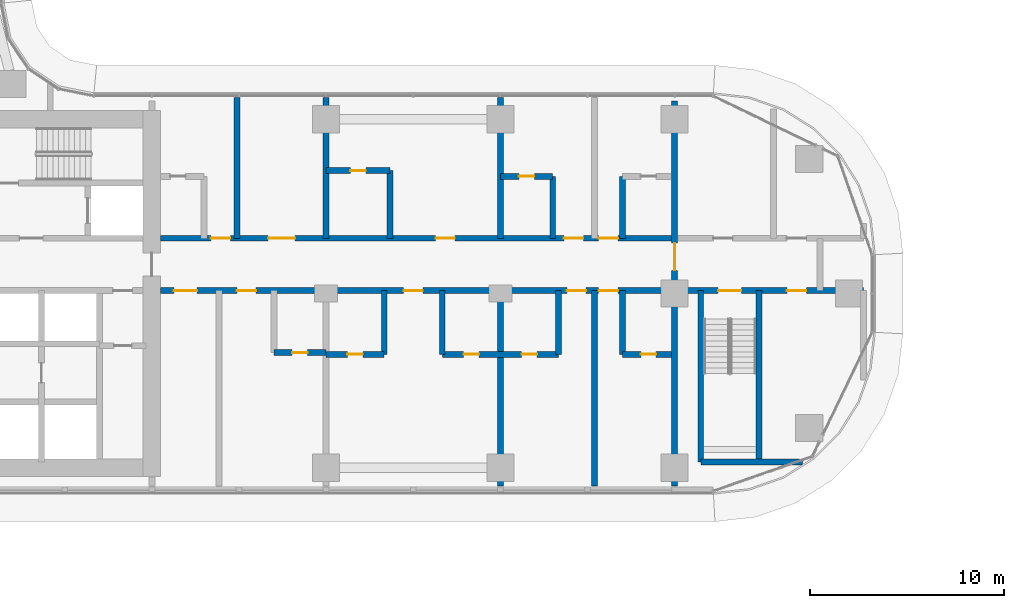
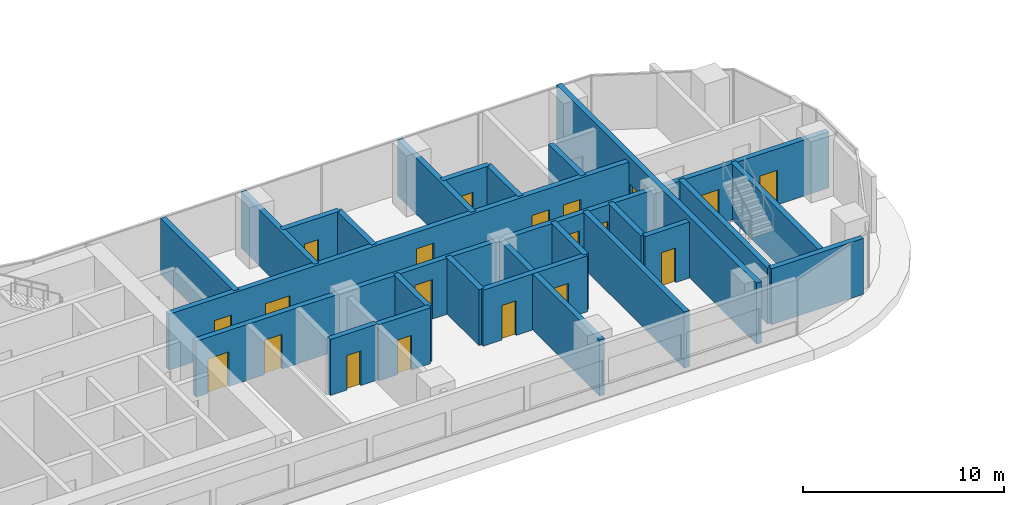
# One storey, part 21 of 39: 25 walls, 20 doors, 20 openings.
"""IFC4 building model written with IfcOpenShell, lengths in metres."""

from ifc_helpers import new_model, si_unit, direction, frame, frame_2d, origin, place, context, subcontext, project, spatial, rectangle, extrude, material, layer, layer_set, type_object, element, fill, save


model = new_model("IFC4")

# Units and contexts
model_context = context("Model", 3, precision=1e-05, world=origin(), true_north=direction((0.0, 1.0)))
body_context = subcontext(model_context, "Body", "Model", "MODEL_VIEW")
ifc_project = project(units=[si_unit("LENGTHUNIT", "METRE"), si_unit("AREAUNIT", "SQUARE_METRE"), si_unit("VOLUMEUNIT", "CUBIC_METRE"), si_unit("PLANEANGLEUNIT", "RADIAN"), si_unit("MASSUNIT", "GRAM", prefix="KILO")], contexts=[model_context])

# Site, building, storey
site_placement = place(None, origin())
site = spatial("IfcSite", under=ifc_project, at=site_placement, CompositionType="ELEMENT")
building_placement = place(site_placement, origin())
building = spatial("IfcBuilding", under=site, at=building_placement, Name="Ogive Portal Towers", CompositionType="ELEMENT")
storey_placement = place(building_placement, frame((0.0, 0.0, 44.60009765625)))
storey = spatial("IfcBuildingStorey", under=building, at=storey_placement, Name="L09", CompositionType="ELEMENT", Elevation=44.60009765625)

# Wall, opening, door
ifc_material_1 = material(Name="Concrete C60/75", Category="concrete")
ifc_layer_1 = layer(ifc_material_1, 0.300048828125)
ifc_layer_set_1 = layer_set([ifc_layer_1], Name="REVEAL WALL 300 C60")
wall_type_1 = type_object("IfcWallType", Name="REVEAL WALL 300 C60", PredefinedType="SHEAR", material=ifc_layer_set_1)
wall_1_placement = place(storey_placement, frame((85.5, 20.56494140625, 0.0), z_axis=(0.0, 0.0, 1.0), x_axis=(0.0, 1.0, 0.0)))
wall_1 = element("IfcWall", 1, at=wall_1_placement, inside=storey, type_object=wall_type_1, Name="Portal reveal wall L09", PredefinedType="SHEAR", context=body_context, shape_type="SweptSolid", body=[
    extrude(rectangle(XDim=19.8701171875, YDim=0.300048828125, at=frame_2d((9.93505859375, 0.0))), origin(), (0.0, 0.0, 1.0), 3.699951171875),
])
opening_1_placement = place(wall_1_placement, frame((11.135009765625, 0.0, 0.0)))
opening_1 = element("IfcOpeningElement", 2, at=opening_1_placement, cuts=wall_1, Name="Opening D02-069", PredefinedType="OPENING", context=body_context, shape_type="SweptSolid", body=[
    extrude(rectangle(XDim=1.39990234375, YDim=2.10009765625, at=frame_2d((0.699951171875, 1.050048828125))), frame((0.0, 0.16015625, 0.0), z_axis=(0.0, -1.0, 0.0), x_axis=(1.0, 0.0, 0.0)), (0.0, 0.0, 1.0), 0.320068359375),
])
ifc_material_2 = material(Name="Steel fire door", Category="steel")
door_type_1 = type_object("IfcDoorType", Name="DT-STAIR-1400x2100-FD90S", OperationType="SINGLE_SWING_LEFT", PredefinedType="DOOR", material=ifc_material_2)
door_1_placement = place(opening_1_placement, origin())
door_1 = element("IfcDoor", 3, at=door_1_placement, inside=storey, type_object=door_type_1, Name="Door D02-069", OperationType="SINGLE_SWING_RIGHT", OverallHeight=2.10009765625, OverallWidth=1.39990234375, PredefinedType="DOOR", context=body_context, shape_type="SweptSolid", body=[
    extrude(rectangle(XDim=1.39990234375, YDim=2.10009765625, at=frame_2d((0.699951171875, 1.050048828125))), frame((0.0, 0.02490234375, 0.0), z_axis=(0.0, -1.0, 0.0), x_axis=(1.0, 0.0, 0.0)), (0.0, 0.0, 1.0), 0.050048828125),
])
fill(opening_1, door_1)

# Wall
ifc_material_3 = material(Name="Concrete C50/60", Category="concrete")
ifc_layer_2 = layer(ifc_material_3, 0.300048828125)
ifc_layer_set_2 = layer_set([ifc_layer_2], Name="STAIR WALL 300 C50")
wall_type_2 = type_object("IfcWallType", Name="STAIR WALL 300 C50", PredefinedType="SHEAR", material=ifc_layer_set_2)
wall_2_placement = place(storey_placement, frame((86.85009765625, 21.800048828125, 0.0), z_axis=(0.0, 0.0, 1.0), x_axis=(1.0, 0.0, 0.0)))
element("IfcWall", 4, at=wall_2_placement, inside=storey, type_object=wall_type_2, Name="Stair wall ST-A4 L09", PredefinedType="SHEAR", context=body_context, shape_type="SweptSolid", body=[
    extrude(rectangle(XDim=5.263916015625, YDim=0.300048828125, at=frame_2d((2.6318359375, 0.0))), origin(), (0.0, 0.0, 1.0), 3.39990234375),
])

# Wall, openings, doors
wall_3_placement = place(storey_placement, frame((85.669921875, 30.64990234375, 0.0), z_axis=(0.0, 0.0, 1.0), x_axis=(1.0, 0.0, 0.0)))
wall_3 = element("IfcWall", 5, at=wall_3_placement, inside=storey, type_object=wall_type_2, Name="Stair wall ST-A4 L09", PredefinedType="SHEAR", context=body_context, shape_type="SweptSolid", body=[
    extrude(rectangle(XDim=9.580078125, YDim=0.300048828125, at=frame_2d((4.7900390625, 0.0))), origin(), (0.0, 0.0, 1.0), 3.39990234375),
])
opening_2_placement = place(wall_3_placement, frame((2.080078125, 0.0, 0.0)))
opening_2 = element("IfcOpeningElement", 6, at=opening_2_placement, cuts=wall_3, Name="Opening D02-064", PredefinedType="OPENING", context=body_context, shape_type="SweptSolid", body=[
    extrude(rectangle(XDim=1.199951171875, YDim=2.10009765625, at=frame_2d((0.60009765625, 1.050048828125))), frame((0.0, 0.16015625, 0.0), z_axis=(0.0, -1.0, 0.0), x_axis=(1.0, 0.0, 0.0)), (0.0, 0.0, 1.0), 0.320068359375),
])
opening_3_placement = place(wall_3_placement, frame((5.6298828125, 0.0, 0.0)))
opening_3 = element("IfcOpeningElement", 7, at=opening_3_placement, cuts=wall_3, Name="Opening D02-067", PredefinedType="OPENING", context=body_context, shape_type="SweptSolid", body=[
    extrude(rectangle(XDim=1.0, YDim=2.10009765625, at=frame_2d((0.5, 1.050048828125))), frame((0.0, 0.16015625, 0.0), z_axis=(0.0, -1.0, 0.0), x_axis=(1.0, 0.0, 0.0)), (0.0, 0.0, 1.0), 0.320068359375),
])
door_type_2 = type_object("IfcDoorType", Name="DT-SERVICE-1000x2100-FD90S", OperationType="SINGLE_SWING_LEFT", PredefinedType="DOOR", material=ifc_material_2)
door_2_placement = place(opening_3_placement, origin())
door_2 = element("IfcDoor", 8, at=door_2_placement, inside=storey, type_object=door_type_2, Name="Door D02-067", OperationType="SINGLE_SWING_LEFT", OverallHeight=2.10009765625, OverallWidth=1.0, PredefinedType="DOOR", context=body_context, shape_type="SweptSolid", body=[
    extrude(rectangle(XDim=1.0, YDim=2.10009765625, at=frame_2d((0.5, 1.050048828125))), frame((0.0, 0.02490234375, 0.0), z_axis=(0.0, -1.0, 0.0), x_axis=(1.0, 0.0, 0.0)), (0.0, 0.0, 1.0), 0.050048828125),
])
fill(opening_3, door_2)
door_type_3 = type_object("IfcDoorType", Name="DT-STAIR-1200x2100-FD90S", OperationType="SINGLE_SWING_LEFT", PredefinedType="DOOR", material=ifc_material_2)
door_3_placement = place(opening_2_placement, origin())
door_3 = element("IfcDoor", 9, at=door_3_placement, inside=storey, type_object=door_type_3, Name="Door D02-064", OperationType="SINGLE_SWING_LEFT", OverallHeight=2.10009765625, OverallWidth=1.199951171875, PredefinedType="DOOR", context=body_context, shape_type="SweptSolid", body=[
    extrude(rectangle(XDim=1.199951171875, YDim=2.10009765625, at=frame_2d((0.60009765625, 1.050048828125))), frame((0.0, 0.02490234375, 0.0), z_axis=(0.0, -1.0, 0.0), x_axis=(1.0, 0.0, 0.0)), (0.0, 0.0, 1.0), 0.050048828125),
])
fill(opening_2, door_3)

# Walls
for number, where, z_axis, x_axis, name in (
    (10, (86.85009765625, 21.800048828125, 0.0), (0.0, 0.0, 1.0), (0.0, 1.0, 0.0), "Stair wall ST-A4 L09"),
    (11, (89.85009765625, 21.800048828125, 0.0), (0.0, 0.0, 1.0), (0.0, 1.0, 0.0), "Stair wall ST-A4 L09"),
):
    element("IfcWall", number, at=place(storey_placement, frame(where, z_axis=z_axis, x_axis=x_axis)), inside=storey, type_object=wall_type_2, Name=name, PredefinedType="SHEAR", context=body_context, shape_type="SweptSolid", body=[
        extrude(rectangle(XDim=8.849853515625, YDim=0.300048828125, at=frame_2d((4.4248046875, 0.0))), origin(), (0.0, 0.0, 1.0), 3.39990234375),
    ])

# Wall, openings, doors
ifc_material_4 = material(Name="Gypsum board partition on steel studs", Category="steel")
ifc_layer_3 = layer(ifc_material_4, 0.300048828125)
ifc_layer_set_3 = layer_set([ifc_layer_3], Name="WT-PART-300-EI 120")
wall_type_3 = type_object("IfcWallType", Name="WT-PART-300-EI 120", PredefinedType="PARTITIONING", material=ifc_layer_set_3)
wall_4_placement = place(storey_placement, frame((58.949951171875, 30.64990234375, 0.0), z_axis=(0.0, 0.0, 1.0), x_axis=(1.0, 0.0, 0.0)))
wall_4 = element("IfcWall", 12, at=wall_4_placement, inside=storey, type_object=wall_type_3, Name="Wall L09:w006", PredefinedType="PARTITIONING", context=body_context, shape_type="SweptSolid", body=[
    extrude(rectangle(XDim=26.380126953125, YDim=0.300048828125, at=frame_2d((13.18994140625, 0.0))), origin(), (0.0, 0.0, 1.0), 3.39990234375),
])
opening_4_placement = place(wall_4_placement, frame((0.68505859375, 0.0, 0.0)))
opening_4 = element("IfcOpeningElement", 13, at=opening_4_placement, cuts=wall_4, Name="Opening D02-029", PredefinedType="OPENING", context=body_context, shape_type="SweptSolid", body=[
    extrude(rectangle(XDim=1.199951171875, YDim=2.10009765625, at=frame_2d((0.60009765625, 1.050048828125))), frame((0.0, 0.16015625, 0.0), z_axis=(0.0, -1.0, 0.0), x_axis=(1.0, 0.0, 0.0)), (0.0, 0.0, 1.0), 0.320068359375),
])
opening_5_placement = place(wall_4_placement, frame((3.93505859375, 0.0, 0.0)))
opening_5 = element("IfcOpeningElement", 14, at=opening_5_placement, cuts=wall_4, Name="Opening D02-031", PredefinedType="OPENING", context=body_context, shape_type="SweptSolid", body=[
    extrude(rectangle(XDim=1.0, YDim=2.10009765625, at=frame_2d((0.5, 1.050048828125))), frame((0.0, 0.16015625, 0.0), z_axis=(0.0, -1.0, 0.0), x_axis=(1.0, 0.0, 0.0)), (0.0, 0.0, 1.0), 0.320068359375),
])
opening_6_placement = place(wall_4_placement, frame((12.550048828125, 0.0, 0.0)))
opening_6 = element("IfcOpeningElement", 15, at=opening_6_placement, cuts=wall_4, Name="Opening D02-036", PredefinedType="OPENING", context=body_context, shape_type="SweptSolid", body=[
    extrude(rectangle(XDim=1.0, YDim=2.39990234375, at=frame_2d((0.5, 1.199951171875))), frame((0.0, 0.16015625, 0.0), z_axis=(0.0, -1.0, 0.0), x_axis=(1.0, 0.0, 0.0)), (0.0, 0.0, 1.0), 0.320068359375),
])
opening_7_placement = place(wall_4_placement, frame((20.97998046875, 0.0, 0.0)))
opening_7 = element("IfcOpeningElement", 16, at=opening_7_placement, cuts=wall_4, Name="Opening D02-042", PredefinedType="OPENING", context=body_context, shape_type="SweptSolid", body=[
    extrude(rectangle(XDim=1.0, YDim=2.39990234375, at=frame_2d((0.5, 1.199951171875))), frame((0.0, 0.16015625, 0.0), z_axis=(0.0, -1.0, 0.0), x_axis=(1.0, 0.0, 0.0)), (0.0, 0.0, 1.0), 0.320068359375),
])
opening_8_placement = place(wall_4_placement, frame((22.6298828125, 0.0, 0.0)))
opening_8 = element("IfcOpeningElement", 17, at=opening_8_placement, cuts=wall_4, Name="Opening D02-044", PredefinedType="OPENING", context=body_context, shape_type="SweptSolid", body=[
    extrude(rectangle(XDim=1.0, YDim=2.39990234375, at=frame_2d((0.5, 1.199951171875))), frame((0.0, 0.16015625, 0.0), z_axis=(0.0, -1.0, 0.0), x_axis=(1.0, 0.0, 0.0)), (0.0, 0.0, 1.0), 0.320068359375),
])
door_type_4 = type_object("IfcDoorType", Name="DT-ENTRY-1000x2100-FD90S", OperationType="SINGLE_SWING_LEFT", PredefinedType="DOOR", material=ifc_material_2)
door_4_placement = place(opening_5_placement, origin())
door_4 = element("IfcDoor", 18, at=door_4_placement, inside=storey, type_object=door_type_4, Name="Door D02-031", OperationType="SINGLE_SWING_LEFT", OverallHeight=2.10009765625, OverallWidth=1.0, PredefinedType="DOOR", context=body_context, shape_type="SweptSolid", body=[
    extrude(rectangle(XDim=1.0, YDim=2.10009765625, at=frame_2d((0.5, 1.050048828125))), frame((0.0, 0.02490234375, 0.0), z_axis=(0.0, -1.0, 0.0), x_axis=(1.0, 0.0, 0.0)), (0.0, 0.0, 1.0), 0.050048828125),
])
fill(opening_5, door_4)
door_type_5 = type_object("IfcDoorType", Name="DT-ENTRY-1000x2400-FD90S", OperationType="SINGLE_SWING_LEFT", PredefinedType="DOOR", material=ifc_material_2)
door_5_placement = place(opening_6_placement, origin())
door_5 = element("IfcDoor", 19, at=door_5_placement, inside=storey, type_object=door_type_5, Name="Door D02-036", OperationType="SINGLE_SWING_RIGHT", OverallHeight=2.39990234375, OverallWidth=1.0, PredefinedType="DOOR", context=body_context, shape_type="SweptSolid", body=[
    extrude(rectangle(XDim=1.0, YDim=2.39990234375, at=frame_2d((0.5, 1.199951171875))), frame((0.0, 0.02490234375, 0.0), z_axis=(0.0, -1.0, 0.0), x_axis=(1.0, 0.0, 0.0)), (0.0, 0.0, 1.0), 0.050048828125),
])
fill(opening_6, door_5)
door_6_placement = place(opening_7_placement, origin())
door_6 = element("IfcDoor", 20, at=door_6_placement, inside=storey, type_object=door_type_5, Name="Door D02-042", OperationType="SINGLE_SWING_LEFT", OverallHeight=2.39990234375, OverallWidth=1.0, PredefinedType="DOOR", context=body_context, shape_type="SweptSolid", body=[
    extrude(rectangle(XDim=1.0, YDim=2.39990234375, at=frame_2d((0.5, 1.199951171875))), frame((0.0, 0.02490234375, 0.0), z_axis=(0.0, -1.0, 0.0), x_axis=(1.0, 0.0, 0.0)), (0.0, 0.0, 1.0), 0.050048828125),
])
fill(opening_7, door_6)
door_7_placement = place(opening_8_placement, origin())
door_7 = element("IfcDoor", 21, at=door_7_placement, inside=storey, type_object=door_type_5, Name="Door D02-044", OperationType="SINGLE_SWING_RIGHT", OverallHeight=2.39990234375, OverallWidth=1.0, PredefinedType="DOOR", context=body_context, shape_type="SweptSolid", body=[
    extrude(rectangle(XDim=1.0, YDim=2.39990234375, at=frame_2d((0.5, 1.199951171875))), frame((0.0, 0.02490234375, 0.0), z_axis=(0.0, -1.0, 0.0), x_axis=(1.0, 0.0, 0.0)), (0.0, 0.0, 1.0), 0.050048828125),
])
fill(opening_8, door_7)
door_type_6 = type_object("IfcDoorType", Name="DT-ENTRY-1200x2100-FD90S", OperationType="SINGLE_SWING_LEFT", PredefinedType="DOOR", material=ifc_material_2)
door_8_placement = place(opening_4_placement, origin())
door_8 = element("IfcDoor", 22, at=door_8_placement, inside=storey, type_object=door_type_6, Name="Door D02-029", OperationType="SINGLE_SWING_LEFT", OverallHeight=2.10009765625, OverallWidth=1.199951171875, PredefinedType="DOOR", context=body_context, shape_type="SweptSolid", body=[
    extrude(rectangle(XDim=1.199951171875, YDim=2.10009765625, at=frame_2d((0.60009765625, 1.050048828125))), frame((0.0, 0.02490234375, 0.0), z_axis=(0.0, -1.0, 0.0), x_axis=(1.0, 0.0, 0.0)), (0.0, 0.0, 1.0), 0.050048828125),
])
fill(opening_4, door_8)

wall_5_placement = place(storey_placement, frame((58.949951171875, 33.35009765625, 0.0), z_axis=(0.0, 0.0, 1.0), x_axis=(1.0, 0.0, 0.0)))
wall_5 = element("IfcWall", 23, at=wall_5_placement, inside=storey, type_object=wall_type_3, Name="Wall L09:w008", PredefinedType="PARTITIONING", context=body_context, shape_type="SweptSolid", body=[
    extrude(rectangle(XDim=26.380126953125, YDim=0.300048828125, at=frame_2d((13.18994140625, 0.0))), origin(), (0.0, 0.0, 1.0), 3.39990234375),
])
opening_9_placement = place(wall_5_placement, frame((2.60009765625, 0.0, 0.0)))
opening_9 = element("IfcOpeningElement", 24, at=opening_9_placement, cuts=wall_5, Name="Opening D02-027", PredefinedType="OPENING", context=body_context, shape_type="SweptSolid", body=[
    extrude(rectangle(XDim=1.0, YDim=2.10009765625, at=frame_2d((0.5, 1.050048828125))), frame((0.0, 0.16015625, 0.0), z_axis=(0.0, -1.0, 0.0), x_axis=(1.0, 0.0, 0.0)), (0.0, 0.0, 1.0), 0.320068359375),
])
opening_10_placement = place(wall_5_placement, frame((5.550048828125, 0.0, 0.0)))
opening_10 = element("IfcOpeningElement", 25, at=opening_10_placement, cuts=wall_5, Name="Opening D02-028", PredefinedType="OPENING", context=body_context, shape_type="SweptSolid", body=[
    extrude(rectangle(XDim=1.39990234375, YDim=2.10009765625, at=frame_2d((0.699951171875, 1.050048828125))), frame((0.0, 0.16015625, 0.0), z_axis=(0.0, -1.0, 0.0), x_axis=(1.0, 0.0, 0.0)), (0.0, 0.0, 1.0), 0.320068359375),
])
opening_11_placement = place(wall_5_placement, frame((14.199951171875, 0.0, 0.0)))
opening_11 = element("IfcOpeningElement", 26, at=opening_11_placement, cuts=wall_5, Name="Opening D02-033", PredefinedType="OPENING", context=body_context, shape_type="SweptSolid", body=[
    extrude(rectangle(XDim=1.0, YDim=2.39990234375, at=frame_2d((0.5, 1.199951171875))), frame((0.0, 0.16015625, 0.0), z_axis=(0.0, -1.0, 0.0), x_axis=(1.0, 0.0, 0.0)), (0.0, 0.0, 1.0), 0.320068359375),
])
opening_12_placement = place(wall_5_placement, frame((20.830078125, 0.0, 0.0)))
opening_12 = element("IfcOpeningElement", 27, at=opening_12_placement, cuts=wall_5, Name="Opening D02-038", PredefinedType="OPENING", context=body_context, shape_type="SweptSolid", body=[
    extrude(rectangle(XDim=1.0, YDim=2.10009765625, at=frame_2d((0.5, 1.050048828125))), frame((0.0, 0.16015625, 0.0), z_axis=(0.0, -1.0, 0.0), x_axis=(1.0, 0.0, 0.0)), (0.0, 0.0, 1.0), 0.320068359375),
])
opening_13_placement = place(wall_5_placement, frame((22.6298828125, 0.0, 0.0)))
opening_13 = element("IfcOpeningElement", 28, at=opening_13_placement, cuts=wall_5, Name="Opening D02-040", PredefinedType="OPENING", context=body_context, shape_type="SweptSolid", body=[
    extrude(rectangle(XDim=1.0, YDim=2.10009765625, at=frame_2d((0.5, 1.050048828125))), frame((0.0, 0.16015625, 0.0), z_axis=(0.0, -1.0, 0.0), x_axis=(1.0, 0.0, 0.0)), (0.0, 0.0, 1.0), 0.320068359375),
])
door_9_placement = place(opening_9_placement, origin())
door_9 = element("IfcDoor", 29, at=door_9_placement, inside=storey, type_object=door_type_4, Name="Door D02-027", OperationType="SINGLE_SWING_LEFT", OverallHeight=2.10009765625, OverallWidth=1.0, PredefinedType="DOOR", context=body_context, shape_type="SweptSolid", body=[
    extrude(rectangle(XDim=1.0, YDim=2.10009765625, at=frame_2d((0.5, 1.050048828125))), frame((0.0, 0.02490234375, 0.0), z_axis=(0.0, -1.0, 0.0), x_axis=(1.0, 0.0, 0.0)), (0.0, 0.0, 1.0), 0.050048828125),
])
fill(opening_9, door_9)
door_10_placement = place(opening_12_placement, origin())
door_10 = element("IfcDoor", 30, at=door_10_placement, inside=storey, type_object=door_type_4, Name="Door D02-038", OperationType="SINGLE_SWING_RIGHT", OverallHeight=2.10009765625, OverallWidth=1.0, PredefinedType="DOOR", context=body_context, shape_type="SweptSolid", body=[
    extrude(rectangle(XDim=1.0, YDim=2.10009765625, at=frame_2d((0.5, 1.050048828125))), frame((0.0, 0.02490234375, 0.0), z_axis=(0.0, -1.0, 0.0), x_axis=(1.0, 0.0, 0.0)), (0.0, 0.0, 1.0), 0.050048828125),
])
fill(opening_12, door_10)
door_11_placement = place(opening_13_placement, origin())
door_11 = element("IfcDoor", 31, at=door_11_placement, inside=storey, type_object=door_type_4, Name="Door D02-040", OperationType="SINGLE_SWING_LEFT", OverallHeight=2.10009765625, OverallWidth=1.0, PredefinedType="DOOR", context=body_context, shape_type="SweptSolid", body=[
    extrude(rectangle(XDim=1.0, YDim=2.10009765625, at=frame_2d((0.5, 1.050048828125))), frame((0.0, 0.02490234375, 0.0), z_axis=(0.0, -1.0, 0.0), x_axis=(1.0, 0.0, 0.0)), (0.0, 0.0, 1.0), 0.050048828125),
])
fill(opening_13, door_11)
door_12_placement = place(opening_11_placement, origin())
door_12 = element("IfcDoor", 32, at=door_12_placement, inside=storey, type_object=door_type_5, Name="Door D02-033", OperationType="SINGLE_SWING_LEFT", OverallHeight=2.39990234375, OverallWidth=1.0, PredefinedType="DOOR", context=body_context, shape_type="SweptSolid", body=[
    extrude(rectangle(XDim=1.0, YDim=2.39990234375, at=frame_2d((0.5, 1.199951171875))), frame((0.0, 0.02490234375, 0.0), z_axis=(0.0, -1.0, 0.0), x_axis=(1.0, 0.0, 0.0)), (0.0, 0.0, 1.0), 0.050048828125),
])
fill(opening_11, door_12)
door_type_7 = type_object("IfcDoorType", Name="DT-ENTRY-1400x2100-FD90S", OperationType="SINGLE_SWING_LEFT", PredefinedType="DOOR", material=ifc_material_2)
door_13_placement = place(opening_10_placement, origin())
door_13 = element("IfcDoor", 33, at=door_13_placement, inside=storey, type_object=door_type_7, Name="Door D02-028", OperationType="SINGLE_SWING_RIGHT", OverallHeight=2.10009765625, OverallWidth=1.39990234375, PredefinedType="DOOR", context=body_context, shape_type="SweptSolid", body=[
    extrude(rectangle(XDim=1.39990234375, YDim=2.10009765625, at=frame_2d((0.699951171875, 1.050048828125))), frame((0.0, 0.02490234375, 0.0), z_axis=(0.0, -1.0, 0.0), x_axis=(1.0, 0.0, 0.0)), (0.0, 0.0, 1.0), 0.050048828125),
])
fill(opening_10, door_13)

# Wall, opening, door
ifc_layer_4 = layer(ifc_material_4, 0.300048828125)
ifc_layer_set_4 = layer_set([ifc_layer_4], Name="WT-PART-300-EI 60")
wall_type_4 = type_object("IfcWallType", Name="WT-PART-300-EI 60", PredefinedType="PARTITIONING", material=ifc_layer_set_4)
wall_6_placement = place(storey_placement, frame((67.5, 27.35009765625, 0.0), z_axis=(0.0, 0.0, 1.0), x_axis=(1.0, 0.0, 0.0)))
wall_6 = element("IfcWall", 34, at=wall_6_placement, inside=storey, type_object=wall_type_4, Name="Wall L09:w002", PredefinedType="PARTITIONING", context=body_context, shape_type="SweptSolid", body=[
    extrude(rectangle(XDim=3.0, YDim=0.300048828125, at=frame_2d((1.5, 0.0))), origin(), (0.0, 0.0, 1.0), 3.39990234375),
])
opening_14_placement = place(wall_6_placement, frame((1.10009765625, 0.0, 0.0)))
opening_14 = element("IfcOpeningElement", 35, at=opening_14_placement, cuts=wall_6, Name="Opening D02-034", PredefinedType="OPENING", context=body_context, shape_type="SweptSolid", body=[
    extrude(rectangle(XDim=0.800048828125, YDim=2.10009765625, at=frame_2d((0.39990234375, 1.050048828125))), frame((0.0, 0.16015625, 0.0), z_axis=(0.0, -1.0, 0.0), x_axis=(1.0, 0.0, 0.0)), (0.0, 0.0, 1.0), 0.320068359375),
])
door_type_8 = type_object("IfcDoorType", Name="DT-BATH-800x2100-FD60S", OperationType="SINGLE_SWING_LEFT", PredefinedType="DOOR", material=ifc_material_2)
door_14_placement = place(opening_14_placement, origin())
door_14 = element("IfcDoor", 36, at=door_14_placement, inside=storey, type_object=door_type_8, Name="Door D02-034", OperationType="SINGLE_SWING_LEFT", OverallHeight=2.10009765625, OverallWidth=0.800048828125, PredefinedType="DOOR", context=body_context, shape_type="SweptSolid", body=[
    extrude(rectangle(XDim=0.800048828125, YDim=2.10009765625, at=frame_2d((0.39990234375, 1.050048828125))), frame((0.0, 0.02490234375, 0.0), z_axis=(0.0, -1.0, 0.0), x_axis=(1.0, 0.0, 0.0)), (0.0, 0.0, 1.0), 0.050048828125),
])
fill(opening_14, door_14)

# Wall, openings, doors
wall_7_placement = place(storey_placement, frame((73.5, 27.35009765625, 0.0), z_axis=(0.0, 0.0, 1.0), x_axis=(1.0, 0.0, 0.0)))
wall_7 = element("IfcWall", 37, at=wall_7_placement, inside=storey, type_object=wall_type_4, Name="Wall L09:w003", PredefinedType="PARTITIONING", context=body_context, shape_type="SweptSolid", body=[
    extrude(rectangle(XDim=6.0, YDim=0.300048828125, at=frame_2d((3.0, 0.0))), origin(), (0.0, 0.0, 1.0), 3.39990234375),
])
opening_15_placement = place(wall_7_placement, frame((1.10009765625, 0.0, 0.0)))
opening_15 = element("IfcOpeningElement", 38, at=opening_15_placement, cuts=wall_7, Name="Opening D02-035", PredefinedType="OPENING", context=body_context, shape_type="SweptSolid", body=[
    extrude(rectangle(XDim=0.800048828125, YDim=2.10009765625, at=frame_2d((0.39990234375, 1.050048828125))), frame((0.0, 0.16015625, 0.0), z_axis=(0.0, -1.0, 0.0), x_axis=(1.0, 0.0, 0.0)), (0.0, 0.0, 1.0), 0.320068359375),
])
opening_16_placement = place(wall_7_placement, frame((4.10009765625, 0.0, 0.0)))
opening_16 = element("IfcOpeningElement", 39, at=opening_16_placement, cuts=wall_7, Name="Opening D02-041", PredefinedType="OPENING", context=body_context, shape_type="SweptSolid", body=[
    extrude(rectangle(XDim=0.800048828125, YDim=2.10009765625, at=frame_2d((0.39990234375, 1.050048828125))), frame((0.0, 0.16015625, 0.0), z_axis=(0.0, -1.0, 0.0), x_axis=(1.0, 0.0, 0.0)), (0.0, 0.0, 1.0), 0.320068359375),
])
door_15_placement = place(opening_15_placement, origin())
door_15 = element("IfcDoor", 40, at=door_15_placement, inside=storey, type_object=door_type_8, Name="Door D02-035", OperationType="SINGLE_SWING_LEFT", OverallHeight=2.10009765625, OverallWidth=0.800048828125, PredefinedType="DOOR", context=body_context, shape_type="SweptSolid", body=[
    extrude(rectangle(XDim=0.800048828125, YDim=2.10009765625, at=frame_2d((0.39990234375, 1.050048828125))), frame((0.0, 0.02490234375, 0.0), z_axis=(0.0, -1.0, 0.0), x_axis=(1.0, 0.0, 0.0)), (0.0, 0.0, 1.0), 0.050048828125),
])
fill(opening_15, door_15)
door_16_placement = place(opening_16_placement, origin())
door_16 = element("IfcDoor", 41, at=door_16_placement, inside=storey, type_object=door_type_8, Name="Door D02-041", OperationType="SINGLE_SWING_LEFT", OverallHeight=2.10009765625, OverallWidth=0.800048828125, PredefinedType="DOOR", context=body_context, shape_type="SweptSolid", body=[
    extrude(rectangle(XDim=0.800048828125, YDim=2.10009765625, at=frame_2d((0.39990234375, 1.050048828125))), frame((0.0, 0.02490234375, 0.0), z_axis=(0.0, -1.0, 0.0), x_axis=(1.0, 0.0, 0.0)), (0.0, 0.0, 1.0), 0.050048828125),
])
fill(opening_16, door_16)

# Wall, opening, door
wall_8_placement = place(storey_placement, frame((82.800048828125, 27.35009765625, 0.0), z_axis=(0.0, 0.0, 1.0), x_axis=(1.0, 0.0, 0.0)))
wall_8 = element("IfcWall", 42, at=wall_8_placement, inside=storey, type_object=wall_type_4, Name="Wall L09:w004", PredefinedType="PARTITIONING", context=body_context, shape_type="SweptSolid", body=[
    extrude(rectangle(XDim=2.530029296875, YDim=0.300048828125, at=frame_2d((1.26513671875, 0.0))), origin(), (0.0, 0.0, 1.0), 3.39990234375),
])
opening_17_placement = place(wall_8_placement, frame((0.949951171875, 0.0, 0.0)))
opening_17 = element("IfcOpeningElement", 43, at=opening_17_placement, cuts=wall_8, Name="Opening D02-043", PredefinedType="OPENING", context=body_context, shape_type="SweptSolid", body=[
    extrude(rectangle(XDim=0.800048828125, YDim=2.10009765625, at=frame_2d((0.39990234375, 1.050048828125))), frame((0.0, 0.16015625, 0.0), z_axis=(0.0, -1.0, 0.0), x_axis=(1.0, 0.0, 0.0)), (0.0, 0.0, 1.0), 0.320068359375),
])
door_17_placement = place(opening_17_placement, origin())
door_17 = element("IfcDoor", 44, at=door_17_placement, inside=storey, type_object=door_type_8, Name="Door D02-043", OperationType="SINGLE_SWING_LEFT", OverallHeight=2.10009765625, OverallWidth=0.800048828125, PredefinedType="DOOR", context=body_context, shape_type="SweptSolid", body=[
    extrude(rectangle(XDim=0.800048828125, YDim=2.10009765625, at=frame_2d((0.39990234375, 1.050048828125))), frame((0.0, 0.02490234375, 0.0), z_axis=(0.0, -1.0, 0.0), x_axis=(1.0, 0.0, 0.0)), (0.0, 0.0, 1.0), 0.050048828125),
])
fill(opening_17, door_17)

wall_9_placement = place(storey_placement, frame((64.800048828125, 27.449951171875, 0.0), z_axis=(0.0, 0.0, 1.0), x_axis=(1.0, 0.0, 0.0)))
wall_9 = element("IfcWall", 45, at=wall_9_placement, inside=storey, type_object=wall_type_4, Name="Wall L09:w005", PredefinedType="PARTITIONING", context=body_context, shape_type="SweptSolid", body=[
    extrude(rectangle(XDim=2.699951171875, YDim=0.300048828125, at=frame_2d((1.35009765625, 0.0))), origin(), (0.0, 0.0, 1.0), 3.39990234375),
])
opening_18_placement = place(wall_9_placement, frame((0.949951171875, 0.0, 0.0)))
opening_18 = element("IfcOpeningElement", 46, at=opening_18_placement, cuts=wall_9, Name="Opening D02-030", PredefinedType="OPENING", context=body_context, shape_type="SweptSolid", body=[
    extrude(rectangle(XDim=0.800048828125, YDim=2.10009765625, at=frame_2d((0.39990234375, 1.050048828125))), frame((0.0, 0.16015625, 0.0), z_axis=(0.0, -1.0, 0.0), x_axis=(1.0, 0.0, 0.0)), (0.0, 0.0, 1.0), 0.320068359375),
])
door_18_placement = place(opening_18_placement, origin())
door_18 = element("IfcDoor", 47, at=door_18_placement, inside=storey, type_object=door_type_8, Name="Door D02-030", OperationType="SINGLE_SWING_RIGHT", OverallHeight=2.10009765625, OverallWidth=0.800048828125, PredefinedType="DOOR", context=body_context, shape_type="SweptSolid", body=[
    extrude(rectangle(XDim=0.800048828125, YDim=2.10009765625, at=frame_2d((0.39990234375, 1.050048828125))), frame((0.0, 0.02490234375, 0.0), z_axis=(0.0, -1.0, 0.0), x_axis=(1.0, 0.0, 0.0)), (0.0, 0.0, 1.0), 0.050048828125),
])
fill(opening_18, door_18)

wall_10_placement = place(storey_placement, frame((76.5, 36.550048828125, 0.0), z_axis=(0.0, 0.0, 1.0), x_axis=(1.0, 0.0, 0.0)))
wall_10 = element("IfcWall", 48, at=wall_10_placement, inside=storey, type_object=wall_type_4, Name="Wall L09:w011", PredefinedType="PARTITIONING", context=body_context, shape_type="SweptSolid", body=[
    extrude(rectangle(XDim=2.699951171875, YDim=0.300048828125, at=frame_2d((1.35009765625, 0.0))), origin(), (0.0, 0.0, 1.0), 3.39990234375),
])
opening_19_placement = place(wall_10_placement, frame((0.949951171875, 0.0, 0.0)))
opening_19 = element("IfcOpeningElement", 49, at=opening_19_placement, cuts=wall_10, Name="Opening D02-037", PredefinedType="OPENING", context=body_context, shape_type="SweptSolid", body=[
    extrude(rectangle(XDim=0.800048828125, YDim=2.10009765625, at=frame_2d((0.39990234375, 1.050048828125))), frame((0.0, 0.16015625, 0.0), z_axis=(0.0, -1.0, 0.0), x_axis=(1.0, 0.0, 0.0)), (0.0, 0.0, 1.0), 0.320068359375),
])
door_19_placement = place(opening_19_placement, origin())
door_19 = element("IfcDoor", 50, at=door_19_placement, inside=storey, type_object=door_type_8, Name="Door D02-037", OperationType="SINGLE_SWING_LEFT", OverallHeight=2.10009765625, OverallWidth=0.800048828125, PredefinedType="DOOR", context=body_context, shape_type="SweptSolid", body=[
    extrude(rectangle(XDim=0.800048828125, YDim=2.10009765625, at=frame_2d((0.39990234375, 1.050048828125))), frame((0.0, 0.02490234375, 0.0), z_axis=(0.0, -1.0, 0.0), x_axis=(1.0, 0.0, 0.0)), (0.0, 0.0, 1.0), 0.050048828125),
])
fill(opening_19, door_19)

wall_11_placement = place(storey_placement, frame((67.5, 36.85009765625, 0.0), z_axis=(0.0, 0.0, 1.0), x_axis=(1.0, 0.0, 0.0)))
wall_11 = element("IfcWall", 51, at=wall_11_placement, inside=storey, type_object=wall_type_4, Name="Wall L09:w013", PredefinedType="PARTITIONING", context=body_context, shape_type="SweptSolid", body=[
    extrude(rectangle(XDim=3.300048828125, YDim=0.300048828125, at=frame_2d((1.64990234375, 0.0))), origin(), (0.0, 0.0, 1.0), 3.39990234375),
])
opening_20_placement = place(wall_11_placement, frame((1.25, 0.0, 0.0)))
opening_20 = element("IfcOpeningElement", 52, at=opening_20_placement, cuts=wall_11, Name="Opening D02-032", PredefinedType="OPENING", context=body_context, shape_type="SweptSolid", body=[
    extrude(rectangle(XDim=0.800048828125, YDim=2.10009765625, at=frame_2d((0.39990234375, 1.050048828125))), frame((0.0, 0.16015625, 0.0), z_axis=(0.0, -1.0, 0.0), x_axis=(1.0, 0.0, 0.0)), (0.0, 0.0, 1.0), 0.320068359375),
])
door_20_placement = place(opening_20_placement, origin())
door_20 = element("IfcDoor", 53, at=door_20_placement, inside=storey, type_object=door_type_8, Name="Door D02-032", OperationType="SINGLE_SWING_LEFT", OverallHeight=2.10009765625, OverallWidth=0.800048828125, PredefinedType="DOOR", context=body_context, shape_type="SweptSolid", body=[
    extrude(rectangle(XDim=0.800048828125, YDim=2.10009765625, at=frame_2d((0.39990234375, 1.050048828125))), frame((0.0, 0.02490234375, 0.0), z_axis=(0.0, -1.0, 0.0), x_axis=(1.0, 0.0, 0.0)), (0.0, 0.0, 1.0), 0.050048828125),
])
fill(opening_20, door_20)

# Walls
for number, where, z_axis, x_axis, name in (
    (54, (62.89990234375, 33.35009765625, 0.0), (0.0, 0.0, 1.0), (0.0, 1.0, 0.0), "Wall L09:w050"),
    (55, (67.5, 33.35009765625, 0.0), (0.0, 0.0, 1.0), (0.0, 1.0, 0.0), "Wall L09:w053"),
):
    element("IfcWall", number, at=place(storey_placement, frame(where, z_axis=z_axis, x_axis=x_axis)), inside=storey, type_object=wall_type_4, Name=name, PredefinedType="PARTITIONING", context=body_context, shape_type="SweptSolid", body=[
        extrude(rectangle(XDim=7.264892578125, YDim=0.300048828125, at=frame_2d((3.63232421875, 0.0))), origin(), (0.0, 0.0, 1.0), 3.39990234375),
    ])
wall_12_placement = place(storey_placement, frame((70.5, 27.35009765625, 0.0), z_axis=(0.0, 0.0, 1.0), x_axis=(0.0, 1.0, 0.0)))
element("IfcWall", 56, at=wall_12_placement, inside=storey, type_object=wall_type_4, Name="Wall L09:w054", PredefinedType="PARTITIONING", context=body_context, shape_type="SweptSolid", body=[
    extrude(rectangle(XDim=3.2998046875, YDim=0.300048828125, at=frame_2d((1.64990234375, 0.0))), origin(), (0.0, 0.0, 1.0), 3.39990234375),
])
wall_13_placement = place(storey_placement, frame((70.800048828125, 33.35009765625, 0.0), z_axis=(0.0, 0.0, 1.0), x_axis=(0.0, 1.0, 0.0)))
element("IfcWall", 57, at=wall_13_placement, inside=storey, type_object=wall_type_4, Name="Wall L09:w055", PredefinedType="PARTITIONING", context=body_context, shape_type="SweptSolid", body=[
    extrude(rectangle(XDim=3.5, YDim=0.300048828125, at=frame_2d((1.75, 0.0))), origin(), (0.0, 0.0, 1.0), 3.39990234375),
])
wall_14_placement = place(storey_placement, frame((73.5, 27.35009765625, 0.0), z_axis=(0.0, 0.0, 1.0), x_axis=(0.0, 1.0, 0.0)))
element("IfcWall", 58, at=wall_14_placement, inside=storey, type_object=wall_type_4, Name="Wall L09:w056", PredefinedType="PARTITIONING", context=body_context, shape_type="SweptSolid", body=[
    extrude(rectangle(XDim=3.2998046875, YDim=0.300048828125, at=frame_2d((1.64990234375, 0.0))), origin(), (0.0, 0.0, 1.0), 3.39990234375),
])
wall_15_placement = place(storey_placement, frame((76.5, 20.56494140625, 0.0), z_axis=(0.0, 0.0, 1.0), x_axis=(0.0, 1.0, 0.0)))
element("IfcWall", 59, at=wall_15_placement, inside=storey, type_object=wall_type_4, Name="Wall L09:w057", PredefinedType="PARTITIONING", context=body_context, shape_type="SweptSolid", body=[
    extrude(rectangle(XDim=10.0849609375, YDim=0.300048828125, at=frame_2d((5.04248046875, 0.0))), origin(), (0.0, 0.0, 1.0), 3.39990234375),
])
wall_16_placement = place(storey_placement, frame((76.5, 33.35009765625, 0.0), z_axis=(0.0, 0.0, 1.0), x_axis=(0.0, 1.0, 0.0)))
element("IfcWall", 60, at=wall_16_placement, inside=storey, type_object=wall_type_4, Name="Wall L09:w058", PredefinedType="PARTITIONING", context=body_context, shape_type="SweptSolid", body=[
    extrude(rectangle(XDim=7.264892578125, YDim=0.300048828125, at=frame_2d((3.63232421875, 0.0))), origin(), (0.0, 0.0, 1.0), 3.39990234375),
])
wall_17_placement = place(storey_placement, frame((79.199951171875, 33.35009765625, 0.0), z_axis=(0.0, 0.0, 1.0), x_axis=(0.0, 1.0, 0.0)))
element("IfcWall", 61, at=wall_17_placement, inside=storey, type_object=wall_type_4, Name="Wall L09:w059", PredefinedType="PARTITIONING", context=body_context, shape_type="SweptSolid", body=[
    extrude(rectangle(XDim=3.199951171875, YDim=0.300048828125, at=frame_2d((1.60009765625, 0.0))), origin(), (0.0, 0.0, 1.0), 3.39990234375),
])
wall_18_placement = place(storey_placement, frame((79.5, 27.35009765625, 0.0), z_axis=(0.0, 0.0, 1.0), x_axis=(0.0, 1.0, 0.0)))
element("IfcWall", 62, at=wall_18_placement, inside=storey, type_object=wall_type_4, Name="Wall L09:w060", PredefinedType="PARTITIONING", context=body_context, shape_type="SweptSolid", body=[
    extrude(rectangle(XDim=3.2998046875, YDim=0.300048828125, at=frame_2d((1.64990234375, 0.0))), origin(), (0.0, 0.0, 1.0), 3.39990234375),
])
wall_19_placement = place(storey_placement, frame((81.360107421875, 20.56494140625, 0.0), z_axis=(0.0, 0.0, 1.0), x_axis=(0.0, 1.0, 0.0)))
element("IfcWall", 63, at=wall_19_placement, inside=storey, type_object=wall_type_4, Name="Wall L09:w061", PredefinedType="PARTITIONING", context=body_context, shape_type="SweptSolid", body=[
    extrude(rectangle(XDim=10.0849609375, YDim=0.300048828125, at=frame_2d((5.04248046875, 0.0))), origin(), (0.0, 0.0, 1.0), 3.39990234375),
])
wall_20_placement = place(storey_placement, frame((82.800048828125, 27.35009765625, 0.0), z_axis=(0.0, 0.0, 1.0), x_axis=(0.0, 1.0, 0.0)))
element("IfcWall", 64, at=wall_20_placement, inside=storey, type_object=wall_type_4, Name="Wall L09:w063", PredefinedType="PARTITIONING", context=body_context, shape_type="SweptSolid", body=[
    extrude(rectangle(XDim=3.2998046875, YDim=0.300048828125, at=frame_2d((1.64990234375, 0.0))), origin(), (0.0, 0.0, 1.0), 3.39990234375),
])
wall_21_placement = place(storey_placement, frame((82.800048828125, 33.35009765625, 0.0), z_axis=(0.0, 0.0, 1.0), x_axis=(0.0, 1.0, 0.0)))
element("IfcWall", 65, at=wall_21_placement, inside=storey, type_object=wall_type_4, Name="Wall L09:w064", PredefinedType="PARTITIONING", context=body_context, shape_type="SweptSolid", body=[
    extrude(rectangle(XDim=3.199951171875, YDim=0.300048828125, at=frame_2d((1.60009765625, 0.0))), origin(), (0.0, 0.0, 1.0), 3.39990234375),
])

save(model, "model.ifc")
